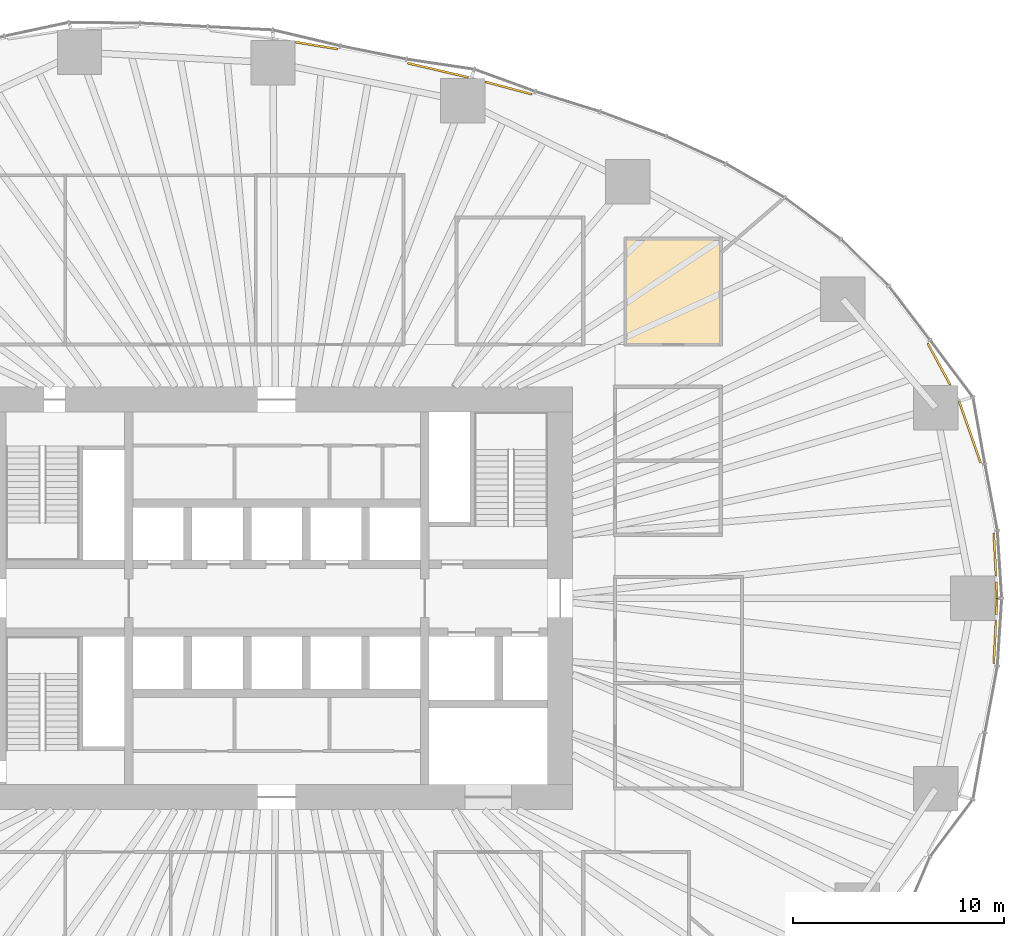
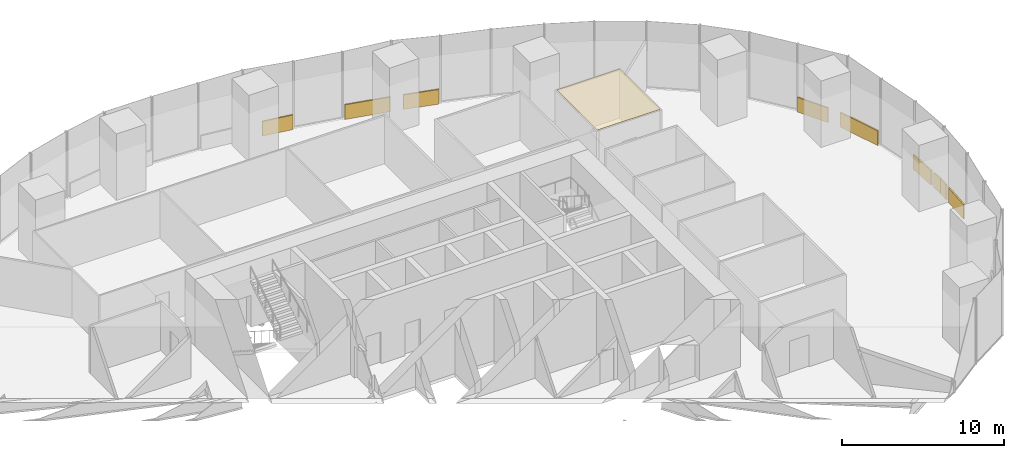
# One storey, part 20 of 20: 10 coverings.
"""IFC4 building model written with IfcOpenShell, lengths in metres."""

import ifcopenshell
import ifcopenshell.guid

model = None  # the IFC model being written
_history = None  # IfcOwnerHistory: only IFC2X3 demands one
_inside = {}  # id of a spatial element -> (the spatial element, [elements in it])
_under = {}  # id of a project, library or spatial element -> (it, [spatial elements below it])
_declared = {}  # id of a project -> (the project, [libraries it declares])
_typed = {}  # id of a type object -> (the type object, [elements of that type])
_made_of = {}  # id of a material, layer set ... -> (it, [elements and type objects made of it])


def new_model(schema):
    """Start an empty IFC model of exactly this schema.

    Asked for "IFC4X3", IfcOpenShell would pick the latest addendum, in which some entities
    have other attributes; the version numbers below select the first issue.
    IFC2X3 requires an IfcOwnerHistory on every rooted entity: one is made here for all.
    """
    global model, _history
    if schema == "IFC4X3":
        model = ifcopenshell.file(schema_version=(4, 3, 0, 0))
    else:
        model = ifcopenshell.file(schema=schema)
    _inside.clear()
    _under.clear()
    _declared.clear()
    _typed.clear()
    _made_of.clear()
    _history = None
    if model.schema == "IFC2X3":
        org = make("IfcOrganization", Name="unknown")
        user = make(
            "IfcPersonAndOrganization",
            ThePerson=make("IfcPerson", FamilyName="unknown"),
            TheOrganization=org,
        )
        app = make(
            "IfcApplication",
            ApplicationDeveloper=org,
            Version="unknown",
            ApplicationFullName="unknown",
            ApplicationIdentifier="unknown",
        )
        _history = make(
            "IfcOwnerHistory",
            OwningUser=user,
            OwningApplication=app,
            ChangeAction="ADDED",
            CreationDate=0,
        )
    return model


def make(cls, **values):
    """One entity of the class cls with the attributes given. An attribute that is None is left unset."""
    return model.create_entity(
        cls, **{name: value for name, value in values.items() if value is not None}
    )


def rooted(cls, **values):
    """An entity with a GlobalId (a new one), such as an element, a storey or a relation."""
    return make(cls, GlobalId=ifcopenshell.guid.new(), OwnerHistory=_history, **values)


def si_unit(unit_type, name, prefix=None):
    """IfcSIUnit, for example si_unit("LENGTHUNIT", "METRE", prefix="MILLI")."""
    return make("IfcSIUnit", UnitType=unit_type, Prefix=prefix, Name=name)


def assignment(units):
    """IfcUnitAssignment: the units of a project."""
    return None if units is None else make("IfcUnitAssignment", Units=units)


def point(xyz):
    """IfcCartesianPoint."""
    return None if xyz is None else make("IfcCartesianPoint", Coordinates=xyz)


def direction(xyz):
    """IfcDirection."""
    return None if xyz is None else make("IfcDirection", DirectionRatios=xyz)


def frame(location, z_axis=None, x_axis=None):
    """IfcAxis2Placement3D, a coordinate frame: its origin and axes. An axis left out is left unset."""
    return make(
        "IfcAxis2Placement3D",
        Location=point(location),
        Axis=direction(z_axis),
        RefDirection=direction(x_axis),
    )


def frame_2d(location, x_axis=None):
    """IfcAxis2Placement2D, a coordinate frame in the plane: its origin and x axis."""
    return make(
        "IfcAxis2Placement2D", Location=point(location), RefDirection=direction(x_axis)
    )


def origin():
    """The frame at (0, 0, 0) with its axes left unset."""
    return frame((0.0, 0.0, 0.0))


def origin_2d():
    """The frame at (0, 0) in the plane with its x axis left unset."""
    return frame_2d((0.0, 0.0))


def place(relative_to, where):
    """IfcLocalPlacement: puts the frame where relative to a parent placement (None: the world)."""
    return make(
        "IfcLocalPlacement", PlacementRelTo=relative_to, RelativePlacement=where
    )


def context(
    kind, dimensions, precision=None, world=None, true_north=None, identifier=None
):
    """IfcGeometricRepresentationContext, for example the 3D "Model" context."""
    return make(
        "IfcGeometricRepresentationContext",
        ContextIdentifier=identifier,
        ContextType=kind,
        CoordinateSpaceDimension=dimensions,
        Precision=precision,
        WorldCoordinateSystem=world,
        TrueNorth=true_north,
    )


def subcontext(parent, identifier, kind, view, scale=None):
    """IfcGeometricRepresentationSubContext, for example "Body" below "Model"."""
    return make(
        "IfcGeometricRepresentationSubContext",
        ContextIdentifier=identifier,
        ContextType=kind,
        ParentContext=parent,
        TargetScale=scale,
        TargetView=view,
    )


def project(units=None, contexts=None):
    """IfcProject with its units and contexts."""
    return rooted(
        "IfcProject",
        Name="project",
        RepresentationContexts=contexts,
        UnitsInContext=assignment(units),
    )


def spatial(cls, under=None, at=None, **own):
    """A site, building, storey or space (cls), placed at a placement, below another one or the project."""
    s = rooted(cls, ObjectPlacement=at, **own)
    if under is not None:
        _under.setdefault(under.id(), (under, []))[1].append(s)
    return s


def polyline(points):
    """IfcPolyline through the points."""
    return make("IfcPolyline", Points=[point(p) for p in points])


def profile(cls, at=None, kind="AREA", **sizes):
    """A parametric profile (cls). Its sizes go by their IFC names, for example OverallWidth=200.0."""
    return make(cls, ProfileType=kind, Position=at, **sizes)


def rectangle(**sizes):
    """IfcRectangleProfileDef."""
    return profile("IfcRectangleProfileDef", **sizes)


def outline(outer, holes=None, kind="AREA"):
    """IfcArbitraryClosedProfileDef: a profile drawn as a closed curve; with holes, ...WithVoids."""
    if holes is None:
        return make("IfcArbitraryClosedProfileDef", ProfileType=kind, OuterCurve=outer)
    return make(
        "IfcArbitraryProfileDefWithVoids",
        ProfileType=kind,
        OuterCurve=outer,
        InnerCurves=holes,
    )


def extrude(swept, where, along, depth):
    """IfcExtrudedAreaSolid: the profile swept, set in the frame where, extruded along a direction by depth."""
    return make(
        "IfcExtrudedAreaSolid",
        SweptArea=swept,
        Position=where,
        ExtrudedDirection=direction(along),
        Depth=depth,
    )


def shape(context_of_items, identifier, shape_type, items):
    """IfcShapeRepresentation: the items that make up one representation, for example the "Body"."""
    return make(
        "IfcShapeRepresentation",
        ContextOfItems=context_of_items,
        RepresentationIdentifier=identifier,
        RepresentationType=shape_type,
        Items=items,
    )


def material(Name=None, Category=None):
    """IfcMaterial."""
    return make("IfcMaterial", Name=Name, Category=Category)


def layer(
    of_material, thickness, ventilated=None, Name=None, Category=None, Priority=None
):
    """IfcMaterialLayer: one layer of a wall or slab, of a material (None: an air gap)."""
    return make(
        "IfcMaterialLayer",
        Material=of_material,
        LayerThickness=thickness,
        IsVentilated=ventilated,
        Name=Name,
        Category=Category,
        Priority=Priority,
    )


def layer_set(layers, Name=None):
    """IfcMaterialLayerSet."""
    return make("IfcMaterialLayerSet", MaterialLayers=layers, LayerSetName=Name)


def made_of(thing, what):
    """Note that an element or type object is made of a material, layer set ...; save() writes the relation."""
    if what is not None:
        _made_of.setdefault(what.id(), (what, []))[1].append(thing)
    return thing


def type_object(cls, material=None, **own):
    """A type object (cls), such as IfcWallType, which elements share."""
    return made_of(rooted(cls, **own), material)


def element(
    cls,
    number,
    at=None,
    inside=None,
    cuts=None,
    type_object=None,
    material=None,
    context=None,
    identifier="Body",
    shape_type=None,
    held_by="IfcProductDefinitionShape",
    body=None,
    shapes=None,
    **own,
):
    """One element of the class cls, such as IfcWall. Its Tag is "e" and its number.

    at: its placement. inside: the storey or other place that contains it. cuts: it is an
    opening in that element (IfcRelVoidsElement). A single representation is given by context,
    identifier, shape_type and body (its items); several are given by shapes. held_by: the class
    of the entity that holds the representations. save() writes the other relations.
    """
    e = rooted(cls, Tag="e%d" % number, ObjectPlacement=at, **own)
    if body is not None:
        shapes = [shape(context, identifier, shape_type, body)]
    if shapes is not None:
        e.Representation = make(held_by, Representations=shapes)
    if inside is not None:
        _inside.setdefault(inside.id(), (inside, []))[1].append(e)
    if cuts is not None:
        rooted(
            "IfcRelVoidsElement", RelatingBuildingElement=cuts, RelatedOpeningElement=e
        )
    if type_object is not None:
        _typed.setdefault(type_object.id(), (type_object, []))[1].append(e)
    return made_of(e, material)


def aggregate(whole, parts):
    """IfcRelAggregates: a whole, such as a stair, and the parts it consists of."""
    return rooted("IfcRelAggregates", RelatingObject=whole, RelatedObjects=parts)


def save(model, path):
    """Write the relations noted so far, then the file.

    IfcRelAggregates (storeys below a building ...), IfcRelContainedInSpatialStructure (elements
    in a storey), IfcRelDefinesByType, IfcRelAssociatesMaterial and IfcRelDeclares: one each for
    every whole, place, type object, material and project.
    """
    for whole, parts in _under.values():
        aggregate(whole, parts)
    for where, things in _inside.values():
        rooted(
            "IfcRelContainedInSpatialStructure",
            RelatedElements=things,
            RelatingStructure=where,
        )
    for kind, things in _typed.values():
        rooted("IfcRelDefinesByType", RelatedObjects=things, RelatingType=kind)
    for what, things in _made_of.values():
        rooted("IfcRelAssociatesMaterial", RelatedObjects=things, RelatingMaterial=what)
    for by, libraries in _declared.values():
        rooted("IfcRelDeclares", RelatingContext=by, RelatedDefinitions=libraries)
    model.write(path)


model = new_model("IFC4")

# Units and contexts
model_context = context("Model", 3, precision=1e-05, world=origin(), true_north=direction((0.0, 1.0)))
body_context = subcontext(model_context, "Body", "Model", "MODEL_VIEW")
ifc_project = project(units=[si_unit("LENGTHUNIT", "METRE"), si_unit("AREAUNIT", "SQUARE_METRE"), si_unit("VOLUMEUNIT", "CUBIC_METRE"), si_unit("PLANEANGLEUNIT", "RADIAN"), si_unit("MASSUNIT", "GRAM", prefix="KILO")], contexts=[model_context])

# Site, building, storey
site_placement = place(None, origin())
site = spatial("IfcSite", under=ifc_project, at=site_placement, CompositionType="ELEMENT")
building_placement = place(site_placement, origin())
building = spatial("IfcBuilding", under=site, at=building_placement, Name="Ghaith Harvest Tower", CompositionType="ELEMENT")
storey_placement = place(building_placement, frame((0.0, 0.0, 20.0)))
storey = spatial("IfcBuildingStorey", under=building, at=storey_placement, Name="L04", CompositionType="ELEMENT", Elevation=20.0)

# Coverings
ifc_material_1 = material(Name="Mineral fibre ceiling tile", Category="gypsum")
ifc_layer_1 = layer(ifc_material_1, 0.02490234375)
ifc_layer_set_1 = layer_set([ifc_layer_1], Name="CEILING C2")
covering_type_1 = type_object("IfcCoveringType", Name="CEILING C2", PredefinedType="CEILING", material=ifc_layer_set_1)
covering_1_placement = place(storey_placement, frame((0.0, 0.0, 3.60009765625)))
element("IfcCovering", 1, at=covering_1_placement, inside=storey, type_object=covering_type_1, Name="Ceiling L04-14", PredefinedType="CEILING", context=body_context, shape_type="SweptSolid", body=[
    extrude(outline(polyline([(16.5, 12.0), (21.0, 12.0), (21.0, 17.0), (16.5, 17.0), (16.5, 12.0)])), origin(), (0.0, 0.0, 1.0), 0.02490234375),
])
ifc_material_2 = material(Name="Insulated aluminium spandrel panel on steel framing", Category="steel")
ifc_layer_2 = layer(ifc_material_2, 0.10009765625)
ifc_layer_set_2 = layer_set([ifc_layer_2], Name="SLAB EDGE UPSTAND 1100x100")
covering_type_2 = type_object("IfcCoveringType", Name="SLAB EDGE UPSTAND 1100x100", PredefinedType="CLADDING", material=ifc_layer_set_2)
covering_2_placement = place(storey_placement, frame((34.054931640625, 0.38232421875, 0.0), z_axis=(0.0, 0.0, 1.0), x_axis=(-0.052048501689, 0.998644558125, 0.0)))
element("IfcCovering", 2, at=covering_2_placement, inside=storey, type_object=covering_type_2, Name="Slab edge upstand 1 bay 01 L04", PredefinedType="CLADDING", context=body_context, shape_type="SweptSolid", body=[
    extrude(rectangle(XDim=0.77099609375, YDim=0.10009765625, at=origin_2d()), origin(), (0.0, 0.0, 1.0), 1.10009765625),
])
covering_3_placement = place(storey_placement, frame((33.966796875, 2.0771484375, 0.0), z_axis=(0.0, 0.0, 1.0), x_axis=(-0.052048501689, 0.998644558125, 0.0)))
element("IfcCovering", 3, at=covering_3_placement, inside=storey, type_object=covering_type_2, Name="Slab edge upstand 1 bay 01 L04", PredefinedType="CLADDING", context=body_context, shape_type="SweptSolid", body=[
    extrude(rectangle(XDim=2.03173828125, YDim=0.10009765625, at=origin_2d()), origin(), (0.0, 0.0, 1.0), 1.10009765625),
])
covering_4_placement = place(storey_placement, frame((32.7822265625, 7.865234375, 0.0), z_axis=(0.0, 0.0, 1.0), x_axis=(-0.330597697022, 0.943771774702, 0.0)))
element("IfcCovering", 4, at=covering_4_placement, inside=storey, type_object=covering_type_2, Name="Slab edge upstand 3 bay 01 L04", PredefinedType="CLADDING", context=body_context, shape_type="SweptSolid", body=[
    extrude(rectangle(XDim=3.080078125, YDim=0.10009765625, at=origin_2d()), origin(), (0.0, 0.0, 1.0), 1.10009765625),
])
covering_5_placement = place(storey_placement, frame((31.32177734375, 11.075439453125, 0.0), z_axis=(0.0, 0.0, 1.0), x_axis=(-0.476349292539, 0.87925613532, 0.0)))
element("IfcCovering", 5, at=covering_5_placement, inside=storey, type_object=covering_type_2, Name="Slab edge upstand 1 bay 02 L04", PredefinedType="CLADDING", context=body_context, shape_type="SweptSolid", body=[
    extrude(rectangle(XDim=2.237548828125, YDim=0.10009765625, at=origin_2d()), origin(), (0.0, 0.0, 1.0), 1.10009765625),
])
covering_6_placement = place(storey_placement, frame((10.968994140625, 24.1298828125, 0.0), z_axis=(0.0, 0.0, 1.0), x_axis=(-0.9660243418, 0.258451099919, 0.0)))
element("IfcCovering", 6, at=covering_6_placement, inside=storey, type_object=covering_type_2, Name="Slab edge upstand 3 bay 04 L04", PredefinedType="CLADDING", context=body_context, shape_type="SweptSolid", body=[
    extrude(rectangle(XDim=2.27978515625, YDim=0.10009765625, at=origin_2d()), origin(), (0.0, 0.0, 1.0), 1.10009765625),
])
covering_7_placement = place(storey_placement, frame((7.627685546875, 24.971435546875, 0.0), z_axis=(0.0, 0.0, 1.0), x_axis=(-0.973634089594, 0.228115452305, 0.0)))
element("IfcCovering", 7, at=covering_7_placement, inside=storey, type_object=covering_type_2, Name="Slab edge upstand 1 bay 05 L04", PredefinedType="CLADDING", context=body_context, shape_type="SweptSolid", body=[
    extrude(rectangle(XDim=2.943359375, YDim=0.10009765625, at=origin_2d()), origin(), (0.0, 0.0, 1.0), 1.10009765625),
])
covering_8_placement = place(storey_placement, frame((1.891845703125, 26.135009765625, 0.0), z_axis=(0.0, 0.0, 1.0), x_axis=(-0.986716247541, 0.162453214305, 0.0)))
element("IfcCovering", 8, at=covering_8_placement, inside=storey, type_object=covering_type_2, Name="Slab edge upstand 3 bay 05 L04", PredefinedType="CLADDING", context=body_context, shape_type="SweptSolid", body=[
    extrude(rectangle(XDim=2.0205078125, YDim=0.10009765625, at=origin_2d()), origin(), (0.0, 0.0, 1.0), 1.10009765625),
])
covering_9_placement = place(storey_placement, frame((33.966796875, -2.0771484375, 0.0), z_axis=(0.0, 0.0, 1.0), x_axis=(0.052048501794, 0.998644558119, 0.0)))
element("IfcCovering", 9, at=covering_9_placement, inside=storey, type_object=covering_type_2, Name="Slab edge upstand 3 bay 20 L04", PredefinedType="CLADDING", context=body_context, shape_type="SweptSolid", body=[
    extrude(rectangle(XDim=2.03173828125, YDim=0.10009765625, at=origin_2d()), origin(), (0.0, 0.0, 1.0), 1.10009765625),
])
covering_10_placement = place(storey_placement, frame((34.054931640625, -0.38232421875, 0.0), z_axis=(0.0, 0.0, 1.0), x_axis=(0.052048501794, 0.998644558119, 0.0)))
element("IfcCovering", 10, at=covering_10_placement, inside=storey, type_object=covering_type_2, Name="Slab edge upstand 3 bay 20 L04", PredefinedType="CLADDING", context=body_context, shape_type="SweptSolid", body=[
    extrude(rectangle(XDim=0.77099609375, YDim=0.10009765625, at=origin_2d()), origin(), (0.0, 0.0, 1.0), 1.10009765625),
])

save(model, "model.ifc")
